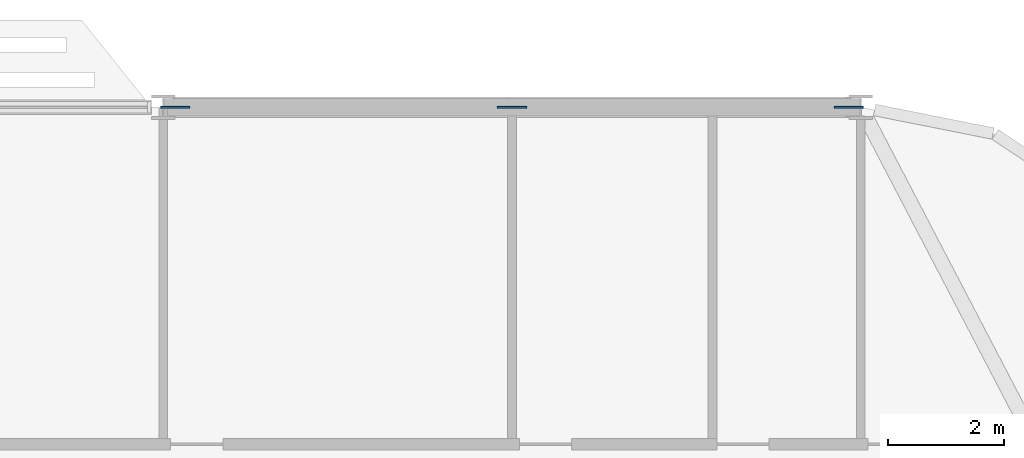
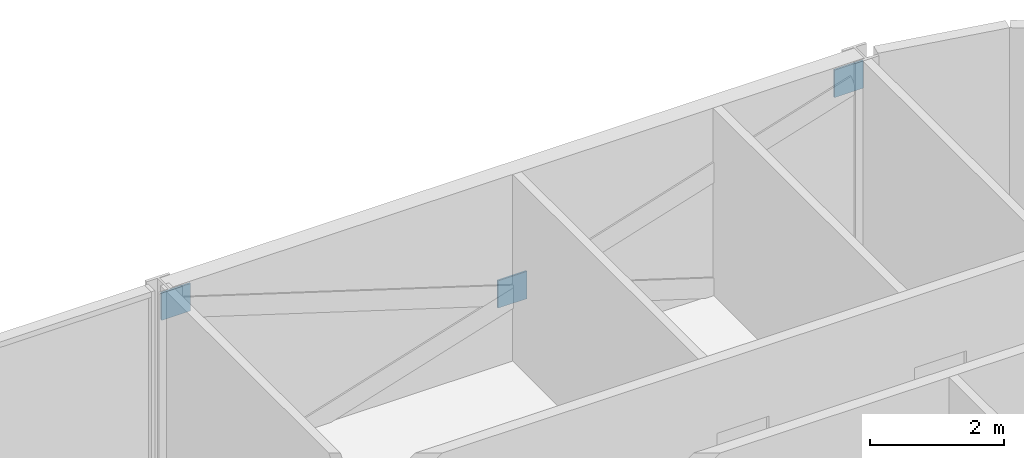
# One storey, part 22 of 28: 3 discrete accessories.
"""IFC4 building model written with IfcOpenShell, lengths in metres."""

from ifc_helpers import new_model, si_unit, direction, frame, origin, origin_2d, place, context, subcontext, project, spatial, rectangle, extrude, material, layer, layer_set, type_object, element, save


model = new_model("IFC4")

# Units and contexts
model_context = context("Model", 3, precision=1e-05, world=origin(), true_north=direction((0.0, 1.0)))
body_context = subcontext(model_context, "Body", "Model", "MODEL_VIEW")
ifc_project = project(units=[si_unit("LENGTHUNIT", "METRE"), si_unit("AREAUNIT", "SQUARE_METRE"), si_unit("VOLUMEUNIT", "CUBIC_METRE"), si_unit("PLANEANGLEUNIT", "RADIAN"), si_unit("MASSUNIT", "GRAM", prefix="KILO")], contexts=[model_context])

# Site, building, storey
site_placement = place(None, origin())
site = spatial("IfcSite", under=ifc_project, at=site_placement, CompositionType="ELEMENT")
building_placement = place(site_placement, origin())
building = spatial("IfcBuilding", under=site, at=building_placement, Name="Mahtab Terrace Research Tower", CompositionType="ELEMENT")
storey_placement = place(building_placement, frame((0.0, 0.0, 185.800048828125)))
storey = spatial("IfcBuildingStorey", under=building, at=storey_placement, Name="L44", CompositionType="ELEMENT", Elevation=185.800048828125)

# Discrete accessories
ifc_material = material(Name="Steel ASTM A992 Gr 50", Category="steel")
ifc_layer = layer(ifc_material, 0.030029296875)
ifc_layer_set = layer_set([ifc_layer], Name="Gusset plate 500x500x30")
discrete_accessory_type = type_object("IfcDiscreteAccessoryType", Name="Gusset plate 500x500x30", PredefinedType="USERDEFINED", material=ifc_layer_set)
for number, where, z_axis, x_axis, name in (
    (1, (30.203125, 23.0, 2.74755859375), (0.0, 0.0, 1.0), (1.0, 0.0, 0.0), "Gusset plate"),
    (2, (36.0, 23.0, 0.94091796875), (0.0, 0.0, 1.0), (1.0, 0.0, 0.0), "Gusset plate"),
    (3, (41.796875, 23.0, 2.74755859375), (0.0, 0.0, 1.0), (1.0, 0.0, 0.0), "Gusset plate"),
):
    element("IfcDiscreteAccessory", number, at=place(storey_placement, frame(where, z_axis=z_axis, x_axis=x_axis)), inside=storey, type_object=discrete_accessory_type, Name=name, ObjectType="GUSSET PLATE", PredefinedType="USERDEFINED", context=body_context, shape_type="SweptSolid", body=[
        extrude(rectangle(XDim=0.5, YDim=0.030029296875, at=origin_2d()), origin(), (0.0, 0.0, 1.0), 0.5),
    ])

save(model, "model.ifc")
